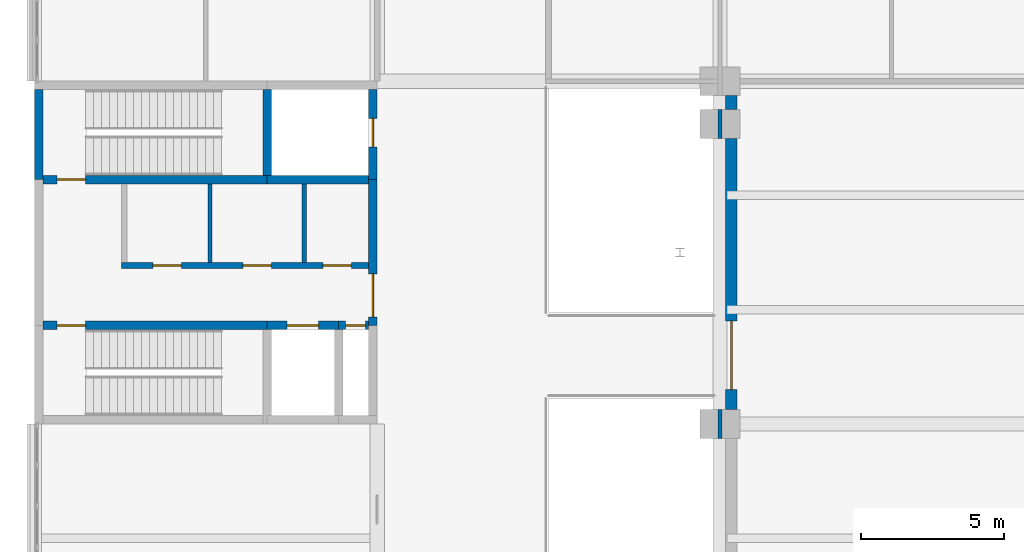
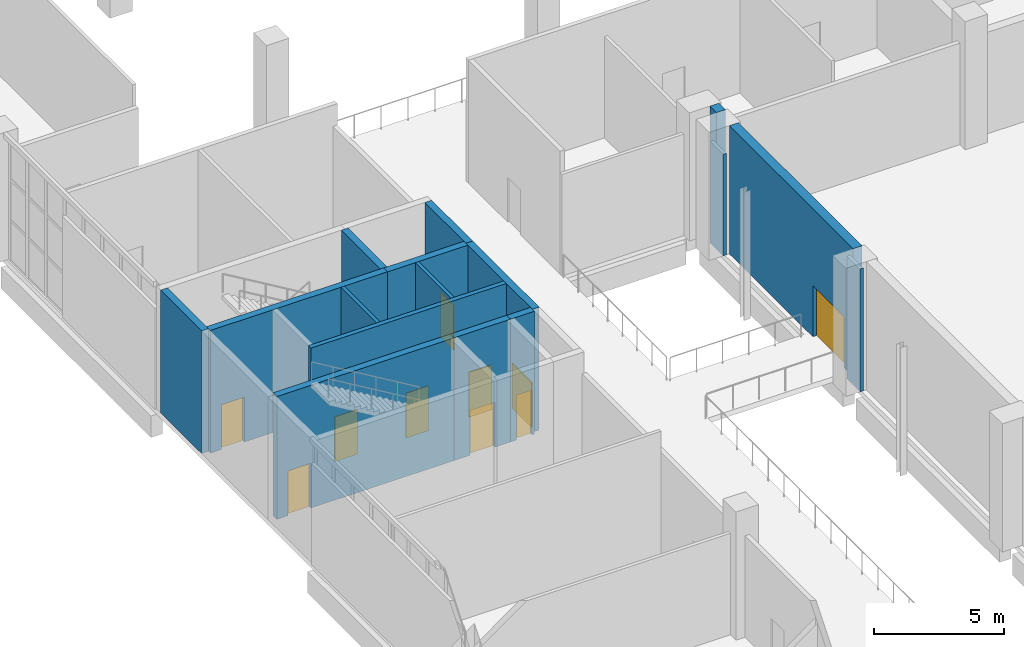
# One storey, part 60 of 72: 16 walls, 10 doors, 10 openings.
"""IFC4 building model written with IfcOpenShell, lengths in metres."""

from ifc_helpers import new_model, si_unit, direction, frame, frame_2d, origin, place, context, subcontext, project, spatial, rectangle, extrude, material, layer, layer_set, type_object, element, fill, save


model = new_model("IFC4")

# Units and contexts
model_context = context("Model", 3, precision=1e-05, world=origin(), true_north=direction((0.0, 1.0)))
body_context = subcontext(model_context, "Body", "Model", "MODEL_VIEW")
ifc_project = project(units=[si_unit("LENGTHUNIT", "METRE"), si_unit("AREAUNIT", "SQUARE_METRE"), si_unit("VOLUMEUNIT", "CUBIC_METRE"), si_unit("PLANEANGLEUNIT", "RADIAN"), si_unit("MASSUNIT", "GRAM", prefix="KILO")], contexts=[model_context])

# Site, building, storey
site_placement = place(None, origin())
site = spatial("IfcSite", under=ifc_project, at=site_placement, CompositionType="ELEMENT")
building_placement = place(site_placement, origin())
building = spatial("IfcBuilding", under=site, at=building_placement, Name="Lilac Gate Convention Centre", CompositionType="ELEMENT")
storey_placement = place(building_placement, frame((0.0, 0.0, 6.0)))
storey = spatial("IfcBuildingStorey", under=building, at=storey_placement, Name="L01", CompositionType="ELEMENT", Elevation=6.0)

# Wall, opening, door
ifc_material_1 = material(Name="Concrete C30", Category="concrete")
ifc_layer_1 = layer(ifc_material_1, 0.39990234375)
ifc_layer_set_1 = layer_set([ifc_layer_1], Name="Concrete C30")
wall_type_1 = type_object("IfcWallType", Name="Hall fire wall 400", PredefinedType="SOLIDWALL", material=ifc_layer_set_1)
wall_1_placement = place(storey_placement, frame((30.39990234375, 210.5, 0.0), z_axis=(0.0, 0.0, 1.0), x_axis=(0.0, 1.0, 0.0)))
wall_1 = element("IfcWall", 1, at=wall_1_placement, inside=storey, type_object=wall_type_1, Name="Fire wall galleria FW L01 16", PredefinedType="SOLIDWALL", context=body_context, shape_type="SweptSolid", body=[
    extrude(rectangle(XDim=9.5, YDim=0.39990234375, at=frame_2d((4.75, 0.0))), origin(), (0.0, 0.0, 1.0), 6.0),
])
opening_1_placement = place(wall_1_placement, frame((0.699951171875, 0.0, 0.0)))
opening_1 = element("IfcOpeningElement", 2, at=opening_1_placement, cuts=wall_1, Name="Opening L01-101", PredefinedType="OPENING", context=body_context, shape_type="SweptSolid", body=[
    extrude(rectangle(XDim=2.39990234375, YDim=2.39990234375, at=frame_2d((1.199951171875, 1.199951171875))), frame((0.0, 0.2099609375, 0.0), z_axis=(0.0, -1.0, 0.0), x_axis=(1.0, 0.0, 0.0)), (0.0, 0.0, 1.0), 0.419921875),
])
ifc_material_2 = material(Name="Steel Q235B", Category="steel")
door_type_1 = type_object("IfcDoorType", Name="Door 2400 x 2400 double leaf FD90", OperationType="DOUBLE_DOOR_SINGLE_SWING", PredefinedType="DOOR", material=ifc_material_2)
door_1_placement = place(opening_1_placement, origin())
door_1 = element("IfcDoor", 3, at=door_1_placement, inside=storey, type_object=door_type_1, Name="Foyer door L01-101", OperationType="DOUBLE_DOOR_SINGLE_SWING", OverallHeight=2.39990234375, OverallWidth=2.39990234375, PredefinedType="DOOR", context=body_context, shape_type="SweptSolid", body=[
    extrude(rectangle(XDim=2.39990234375, YDim=2.39990234375, at=frame_2d((1.199951171875, 1.199951171875))), frame((0.0, 0.02490234375, 0.0), z_axis=(0.0, -1.0, 0.0), x_axis=(1.0, 0.0, 0.0)), (0.0, 0.0, 1.0), 0.050048828125),
])
fill(opening_1, door_1)

# Walls
wall_2_placement = place(storey_placement, frame((30.39990234375, 221.0, 0.0), z_axis=(0.0, 0.0, 1.0), x_axis=(0.0, 1.0, 0.0)))
element("IfcWall", 4, at=wall_2_placement, inside=storey, type_object=wall_type_1, Name="Fire wall galleria FW L01 17", PredefinedType="SOLIDWALL", context=body_context, shape_type="SweptSolid", body=[
    extrude(rectangle(XDim=0.5, YDim=0.39990234375, at=frame_2d((0.25, 0.0))), origin(), (0.0, 0.0, 1.0), 6.0),
])
ifc_material_3 = material(Name="Fire-rated gypsum board on steel stud", Category="steel")
ifc_layer_2 = layer(ifc_material_3, 0.14990234375)
ifc_layer_set_2 = layer_set([ifc_layer_2], Name="Fire-rated gypsum board on steel stud")
wall_type_2 = type_object("IfcWallType", Name="Partition 150 fire-rated gypsum board EI 60", PredefinedType="PARTITIONING", material=ifc_layer_set_2)
for number, where, z_axis, x_axis, name in (
    (5, (12.14990234375, 215.64990234375, 0.0), (0.0, 0.0, 1.0), (0.0, 1.0, 0.0), "Partition 150 fire-rated gypsum board EI 60"),
    (6, (15.449951171875, 215.64990234375, 0.0), (0.0, 0.0, 1.0), (0.0, 1.0, 0.0), "Partition 150 fire-rated gypsum board EI 60"),
):
    element("IfcWall", number, at=place(storey_placement, frame(where, z_axis=z_axis, x_axis=x_axis)), inside=storey, type_object=wall_type_2, Name=name, PredefinedType="PARTITIONING", context=body_context, shape_type="SweptSolid", body=[
        extrude(rectangle(XDim=2.75, YDim=0.14990234375, at=frame_2d((1.375, 0.0))), origin(), (0.0, 0.0, 1.0), 5.75),
    ])
wall_3_placement = place(storey_placement, frame((30.0, 209.5, 0.0), z_axis=(0.0, 0.0, 1.0), x_axis=(0.0, 1.0, 0.0)))
element("IfcWall", 7, at=wall_3_placement, inside=storey, type_object=wall_type_2, Name="Partition 150 fire-rated gypsum board EI 60", PredefinedType="PARTITIONING", context=body_context, shape_type="SweptSolid", body=[
    extrude(rectangle(XDim=1.0, YDim=0.14990234375, at=frame_2d((0.5, 0.0))), origin(), (0.0, 0.0, 1.0), 5.75),
])
wall_4_placement = place(storey_placement, frame((30.0, 220.0, 0.0), z_axis=(0.0, 0.0, 1.0), x_axis=(0.0, 1.0, 0.0)))
element("IfcWall", 8, at=wall_4_placement, inside=storey, type_object=wall_type_2, Name="Partition 150 fire-rated gypsum board EI 60", PredefinedType="PARTITIONING", context=body_context, shape_type="SweptSolid", body=[
    extrude(rectangle(XDim=1.0, YDim=0.14990234375, at=frame_2d((0.5, 0.0))), origin(), (0.0, 0.0, 1.0), 4.75),
])

# Wall, openings, doors
ifc_material_4 = material(Name="Clay brick masonry", Category="masonry")
ifc_layer_3 = layer(ifc_material_4, 0.199951171875)
ifc_layer_set_3 = layer_set([ifc_layer_3], Name="Clay brick masonry")
wall_type_3 = type_object("IfcWallType", Name="Partition 200 brick EI 60", PredefinedType="PARTITIONING", material=ifc_layer_set_3)
wall_5_placement = place(storey_placement, frame((9.050048828125, 215.550048828125, 0.0), z_axis=(0.0, 0.0, 1.0), x_axis=(1.0, 0.0, 0.0)))
wall_5 = element("IfcWall", 9, at=wall_5_placement, inside=storey, type_object=wall_type_3, Name="Partition 200 brick EI 60", PredefinedType="PARTITIONING", context=body_context, shape_type="SweptSolid", body=[
    extrude(rectangle(XDim=8.64990234375, YDim=0.199951171875, at=frame_2d((4.324951171875, 0.0))), origin(), (0.0, 0.0, 1.0), 5.75),
])
opening_2_placement = place(wall_5_placement, frame((1.10009765625, 0.0, 0.0)))
opening_2 = element("IfcOpeningElement", 10, at=opening_2_placement, cuts=wall_5, Name="Opening L01-108", PredefinedType="OPENING", context=body_context, shape_type="SweptSolid", body=[
    extrude(rectangle(XDim=1.0, YDim=2.10009765625, at=frame_2d((0.5, 1.050048828125))), frame((0.0, 0.10986328125, 0.0), z_axis=(0.0, -1.0, 0.0), x_axis=(1.0, 0.0, 0.0)), (0.0, 0.0, 1.0), 0.219970703125),
])
opening_3_placement = place(wall_5_placement, frame((4.25, 0.0, 0.0)))
opening_3 = element("IfcOpeningElement", 11, at=opening_3_placement, cuts=wall_5, Name="Opening L01-109", PredefinedType="OPENING", context=body_context, shape_type="SweptSolid", body=[
    extrude(rectangle(XDim=1.0, YDim=2.10009765625, at=frame_2d((0.5, 1.050048828125))), frame((0.0, 0.10986328125, 0.0), z_axis=(0.0, -1.0, 0.0), x_axis=(1.0, 0.0, 0.0)), (0.0, 0.0, 1.0), 0.219970703125),
])
opening_4_placement = place(wall_5_placement, frame((7.050048828125, 0.0, 0.0)))
opening_4 = element("IfcOpeningElement", 12, at=opening_4_placement, cuts=wall_5, Name="Opening L01-110", PredefinedType="OPENING", context=body_context, shape_type="SweptSolid", body=[
    extrude(rectangle(XDim=1.0, YDim=2.10009765625, at=frame_2d((0.5, 1.050048828125))), frame((0.0, 0.10986328125, 0.0), z_axis=(0.0, -1.0, 0.0), x_axis=(1.0, 0.0, 0.0)), (0.0, 0.0, 1.0), 0.219970703125),
])
ifc_material_5 = material(Name="Timber fire door leaf", Category="wood")
door_type_2 = type_object("IfcDoorType", Name="Door 1000 x 2100 single leaf FD30", OperationType="SINGLE_SWING_LEFT", PredefinedType="DOOR", material=ifc_material_5)
door_2_placement = place(opening_2_placement, origin())
door_2 = element("IfcDoor", 13, at=door_2_placement, inside=storey, type_object=door_type_2, Name="WC door L01-108", OperationType="SINGLE_SWING_RIGHT", OverallHeight=2.10009765625, OverallWidth=1.0, PredefinedType="DOOR", context=body_context, shape_type="SweptSolid", body=[
    extrude(rectangle(XDim=1.0, YDim=2.10009765625, at=frame_2d((0.5, 1.050048828125))), frame((0.0, 0.02490234375, 0.0), z_axis=(0.0, -1.0, 0.0), x_axis=(1.0, 0.0, 0.0)), (0.0, 0.0, 1.0), 0.050048828125),
])
fill(opening_2, door_2)
door_3_placement = place(opening_3_placement, origin())
door_3 = element("IfcDoor", 14, at=door_3_placement, inside=storey, type_object=door_type_2, Name="WC door L01-109", OperationType="SINGLE_SWING_LEFT", OverallHeight=2.10009765625, OverallWidth=1.0, PredefinedType="DOOR", context=body_context, shape_type="SweptSolid", body=[
    extrude(rectangle(XDim=1.0, YDim=2.10009765625, at=frame_2d((0.5, 1.050048828125))), frame((0.0, 0.02490234375, 0.0), z_axis=(0.0, -1.0, 0.0), x_axis=(1.0, 0.0, 0.0)), (0.0, 0.0, 1.0), 0.050048828125),
])
fill(opening_3, door_3)
door_4_placement = place(opening_4_placement, origin())
door_4 = element("IfcDoor", 15, at=door_4_placement, inside=storey, type_object=door_type_2, Name="Accessible WC door L01-110", OperationType="SINGLE_SWING_LEFT", OverallHeight=2.10009765625, OverallWidth=1.0, PredefinedType="DOOR", context=body_context, shape_type="SweptSolid", body=[
    extrude(rectangle(XDim=1.0, YDim=2.10009765625, at=frame_2d((0.5, 1.050048828125))), frame((0.0, 0.02490234375, 0.0), z_axis=(0.0, -1.0, 0.0), x_axis=(1.0, 0.0, 0.0)), (0.0, 0.0, 1.0), 0.050048828125),
])
fill(opening_4, door_4)

# Wall, opening, door
ifc_material_6 = material(Name="Concrete C40", Category="concrete")
ifc_layer_4 = layer(ifc_material_6, 0.300048828125)
ifc_layer_set_4 = layer_set([ifc_layer_4], Name="Concrete C40")
wall_type_4 = type_object("IfcWallType", Name="Shear wall 300 C40", PredefinedType="SHEAR", material=ifc_layer_set_4)
wall_6_placement = place(storey_placement, frame((6.300048828125, 213.449951171875, 0.0), z_axis=(0.0, 0.0, 1.0), x_axis=(1.0, 0.0, 0.0)))
wall_6 = element("IfcWall", 16, at=wall_6_placement, inside=storey, type_object=wall_type_4, Name="SW1 shear wall W4 L01 6", PredefinedType="SHEAR", context=body_context, shape_type="SweptSolid", body=[
    extrude(rectangle(XDim=7.849853515625, YDim=0.300048828125, at=frame_2d((3.9248046875, 0.0))), origin(), (0.0, 0.0, 1.0), 5.75),
])
opening_5_placement = place(wall_6_placement, frame((0.5, 0.0, 0.0)))
opening_5 = element("IfcOpeningElement", 17, at=opening_5_placement, cuts=wall_6, Name="Opening L01-102", PredefinedType="OPENING", context=body_context, shape_type="SweptSolid", body=[
    extrude(rectangle(XDim=1.0, YDim=2.10009765625, at=frame_2d((0.5, 1.050048828125))), frame((0.0, 0.159912109375, 0.0), z_axis=(0.0, -1.0, 0.0), x_axis=(1.0, 0.0, 0.0)), (0.0, 0.0, 1.0), 0.320068359375),
])
door_type_3 = type_object("IfcDoorType", Name="Door 1000 x 2100 single leaf FD60", OperationType="SINGLE_SWING_LEFT", PredefinedType="DOOR", material=ifc_material_5)
door_5_placement = place(opening_5_placement, frame((1.0, 0.0, 0.0), z_axis=(0.0, 0.0, 1.0), x_axis=(-1.0, 0.0, 0.0)))
door_5 = element("IfcDoor", 18, at=door_5_placement, inside=storey, type_object=door_type_3, Name="Stair door L01-102", OperationType="SINGLE_SWING_LEFT", OverallHeight=2.10009765625, OverallWidth=1.0, PredefinedType="DOOR", context=body_context, shape_type="SweptSolid", body=[
    extrude(rectangle(XDim=1.0, YDim=2.10009765625, at=frame_2d((0.5, 1.050048828125))), frame((0.0, 0.02490234375, 0.0), z_axis=(0.0, -1.0, 0.0), x_axis=(1.0, 0.0, 0.0)), (0.0, 0.0, 1.0), 0.050048828125),
])
fill(opening_5, door_5)

wall_7_placement = place(storey_placement, frame((14.14990234375, 213.449951171875, 0.0), z_axis=(0.0, 0.0, 1.0), x_axis=(1.0, 0.0, 0.0)))
wall_7 = element("IfcWall", 19, at=wall_7_placement, inside=storey, type_object=wall_type_4, Name="SW1 shear wall W4 L01 7", PredefinedType="SHEAR", context=body_context, shape_type="SweptSolid", body=[
    extrude(rectangle(XDim=2.5, YDim=0.300048828125, at=frame_2d((1.25, 0.0))), origin(), (0.0, 0.0, 1.0), 5.75),
])
opening_6_placement = place(wall_7_placement, frame((0.699951171875, 0.0, 0.0)))
opening_6 = element("IfcOpeningElement", 20, at=opening_6_placement, cuts=wall_7, Name="Opening LDW4-01", PredefinedType="OPENING", context=body_context, shape_type="SweptSolid", body=[
    extrude(rectangle(XDim=1.10009765625, YDim=2.10009765625, at=frame_2d((0.550048828125, 1.050048828125))), frame((0.0, 0.159912109375, 0.0), z_axis=(0.0, -1.0, 0.0), x_axis=(1.0, 0.0, 0.0)), (0.0, 0.0, 1.0), 0.320068359375),
])
ifc_material_7 = material(Name="Stainless steel 304", Category="steel")
door_type_4 = type_object("IfcDoorType", Name="Lift landing door 1100 x 2100", OperationType="SLIDING_TO_LEFT", PredefinedType="DOOR", material=ifc_material_7)
door_6_placement = place(opening_6_placement, origin())
door_6 = element("IfcDoor", 21, at=door_6_placement, inside=storey, type_object=door_type_4, Name="Lift landing door LDW4-01", OperationType="SLIDING_TO_LEFT", OverallHeight=2.10009765625, OverallWidth=1.10009765625, PredefinedType="DOOR", context=body_context, shape_type="SweptSolid", body=[
    extrude(rectangle(XDim=1.10009765625, YDim=2.10009765625, at=frame_2d((0.550048828125, 1.050048828125))), frame((0.0, 0.02490234375, 0.0), z_axis=(0.0, -1.0, 0.0), x_axis=(1.0, 0.0, 0.0)), (0.0, 0.0, 1.0), 0.050048828125),
])
fill(opening_6, door_6)

wall_8_placement = place(storey_placement, frame((16.64990234375, 213.449951171875, 0.0), z_axis=(0.0, 0.0, 1.0), x_axis=(1.0, 0.0, 0.0)))
wall_8 = element("IfcWall", 22, at=wall_8_placement, inside=storey, type_object=wall_type_4, Name="SW1 shear wall W4 L01 8", PredefinedType="SHEAR", context=body_context, shape_type="SweptSolid", body=[
    extrude(rectangle(XDim=1.050048828125, YDim=0.300048828125, at=frame_2d((0.52490234375, 0.0))), origin(), (0.0, 0.0, 1.0), 5.75),
])
opening_7_placement = place(wall_8_placement, frame((0.25, 0.0, 0.0)))
opening_7 = element("IfcOpeningElement", 23, at=opening_7_placement, cuts=wall_8, Name="Opening L01-103", PredefinedType="OPENING", context=body_context, shape_type="SweptSolid", body=[
    extrude(rectangle(XDim=0.699951171875, YDim=2.10009765625, at=frame_2d((0.35009765625, 1.050048828125))), frame((0.0, 0.159912109375, 0.0), z_axis=(0.0, -1.0, 0.0), x_axis=(1.0, 0.0, 0.0)), (0.0, 0.0, 1.0), 0.320068359375),
])
door_type_5 = type_object("IfcDoorType", Name="Door 700 x 2100 single leaf FD30", OperationType="SINGLE_SWING_LEFT", PredefinedType="DOOR", material=ifc_material_5)
door_7_placement = place(opening_7_placement, frame((0.699951171875, 0.0, 0.0), z_axis=(0.0, 0.0, 1.0), x_axis=(-1.0, 0.0, 0.0)))
door_7 = element("IfcDoor", 24, at=door_7_placement, inside=storey, type_object=door_type_5, Name="Riser access door L01-103", OperationType="SINGLE_SWING_LEFT", OverallHeight=2.10009765625, OverallWidth=0.699951171875, PredefinedType="DOOR", context=body_context, shape_type="SweptSolid", body=[
    extrude(rectangle(XDim=0.699951171875, YDim=2.10009765625, at=frame_2d((0.35009765625, 1.050048828125))), frame((0.0, 0.02490234375, 0.0), z_axis=(0.0, -1.0, 0.0), x_axis=(1.0, 0.0, 0.0)), (0.0, 0.0, 1.0), 0.050048828125),
])
fill(opening_7, door_7)

wall_9_placement = place(storey_placement, frame((6.300048828125, 218.550048828125, 0.0), z_axis=(0.0, 0.0, 1.0), x_axis=(1.0, 0.0, 0.0)))
wall_9 = element("IfcWall", 25, at=wall_9_placement, inside=storey, type_object=wall_type_4, Name="SW1 shear wall W4 L01 9", PredefinedType="SHEAR", context=body_context, shape_type="SweptSolid", body=[
    extrude(rectangle(XDim=7.849853515625, YDim=0.300048828125, at=frame_2d((3.9248046875, 0.0))), origin(), (0.0, 0.0, 1.0), 5.75),
])
opening_8_placement = place(wall_9_placement, frame((0.5, 0.0, 0.0)))
opening_8 = element("IfcOpeningElement", 26, at=opening_8_placement, cuts=wall_9, Name="Opening L01-114", PredefinedType="OPENING", context=body_context, shape_type="SweptSolid", body=[
    extrude(rectangle(XDim=1.0, YDim=2.10009765625, at=frame_2d((0.5, 1.050048828125))), frame((0.0, 0.159912109375, 0.0), z_axis=(0.0, -1.0, 0.0), x_axis=(1.0, 0.0, 0.0)), (0.0, 0.0, 1.0), 0.320068359375),
])
door_8_placement = place(opening_8_placement, origin())
door_8 = element("IfcDoor", 27, at=door_8_placement, inside=storey, type_object=door_type_3, Name="Stair door L01-114", OperationType="SINGLE_SWING_RIGHT", OverallHeight=2.10009765625, OverallWidth=1.0, PredefinedType="DOOR", context=body_context, shape_type="SweptSolid", body=[
    extrude(rectangle(XDim=1.0, YDim=2.10009765625, at=frame_2d((0.5, 1.050048828125))), frame((0.0, 0.02490234375, 0.0), z_axis=(0.0, -1.0, 0.0), x_axis=(1.0, 0.0, 0.0)), (0.0, 0.0, 1.0), 0.050048828125),
])
fill(opening_8, door_8)

# Walls
wall_10_placement = place(storey_placement, frame((14.14990234375, 218.550048828125, 0.0), z_axis=(0.0, 0.0, 1.0), x_axis=(1.0, 0.0, 0.0)))
element("IfcWall", 28, at=wall_10_placement, inside=storey, type_object=wall_type_4, Name="SW1 shear wall W4 L01 10", PredefinedType="SHEAR", context=body_context, shape_type="SweptSolid", body=[
    extrude(rectangle(XDim=3.550048828125, YDim=0.300048828125, at=frame_2d((1.77490234375, 0.0))), origin(), (0.0, 0.0, 1.0), 5.75),
])
wall_11_placement = place(storey_placement, frame((6.14990234375, 218.550048828125, 0.0), z_axis=(0.0, 0.0, 1.0), x_axis=(0.0, 1.0, 0.0)))
element("IfcWall", 29, at=wall_11_placement, inside=storey, type_object=wall_type_4, Name="SW1 shear wall W4 L01 13", PredefinedType="SHEAR", context=body_context, shape_type="SweptSolid", body=[
    extrude(rectangle(XDim=3.14990234375, YDim=0.300048828125, at=frame_2d((1.574951171875, 0.0))), origin(), (0.0, 0.0, 1.0), 5.75),
])

# Wall, opening, door
wall_12_placement = place(storey_placement, frame((17.85009765625, 213.449951171875, 0.0), z_axis=(0.0, 0.0, 1.0), x_axis=(0.0, 1.0, 0.0)))
wall_12 = element("IfcWall", 30, at=wall_12_placement, inside=storey, type_object=wall_type_4, Name="SW1 shear wall W4 L01 15", PredefinedType="SHEAR", context=body_context, shape_type="SweptSolid", body=[
    extrude(rectangle(XDim=5.10009765625, YDim=0.300048828125, at=frame_2d((2.550048828125, 0.0))), origin(), (0.0, 0.0, 1.0), 5.75),
])
opening_9_placement = place(wall_12_placement, frame((0.300048828125, 0.0, 0.0)))
opening_9 = element("IfcOpeningElement", 31, at=opening_9_placement, cuts=wall_12, Name="Opening L01-106", PredefinedType="OPENING", context=body_context, shape_type="SweptSolid", body=[
    extrude(rectangle(XDim=1.5, YDim=2.10009765625, at=frame_2d((0.75, 1.050048828125))), frame((0.0, 0.159912109375, 0.0), z_axis=(0.0, -1.0, 0.0), x_axis=(1.0, 0.0, 0.0)), (0.0, 0.0, 1.0), 0.320068359375),
])
door_type_6 = type_object("IfcDoorType", Name="Door 1500 x 2100 double leaf FD30", OperationType="DOUBLE_DOOR_SINGLE_SWING", PredefinedType="DOOR", material=ifc_material_5)
door_9_placement = place(opening_9_placement, origin())
door_9 = element("IfcDoor", 32, at=door_9_placement, inside=storey, type_object=door_type_6, Name="Lobby door L01-106", OperationType="DOUBLE_DOOR_SINGLE_SWING", OverallHeight=2.10009765625, OverallWidth=1.5, PredefinedType="DOOR", context=body_context, shape_type="SweptSolid", body=[
    extrude(rectangle(XDim=1.5, YDim=2.10009765625, at=frame_2d((0.75, 1.050048828125))), frame((0.0, 0.02490234375, 0.0), z_axis=(0.0, -1.0, 0.0), x_axis=(1.0, 0.0, 0.0)), (0.0, 0.0, 1.0), 0.050048828125),
])
fill(opening_9, door_9)

wall_13_placement = place(storey_placement, frame((17.85009765625, 218.550048828125, 0.0), z_axis=(0.0, 0.0, 1.0), x_axis=(0.0, 1.0, 0.0)))
wall_13 = element("IfcWall", 33, at=wall_13_placement, inside=storey, type_object=wall_type_4, Name="SW1 shear wall W4 L01 16", PredefinedType="SHEAR", context=body_context, shape_type="SweptSolid", body=[
    extrude(rectangle(XDim=3.14990234375, YDim=0.300048828125, at=frame_2d((1.574951171875, 0.0))), origin(), (0.0, 0.0, 1.0), 5.75),
])
opening_10_placement = place(wall_13_placement, frame((1.14990234375, 0.0, 0.0)))
opening_10 = element("IfcOpeningElement", 34, at=opening_10_placement, cuts=wall_13, Name="Opening L01-116", PredefinedType="OPENING", context=body_context, shape_type="SweptSolid", body=[
    extrude(rectangle(XDim=1.0, YDim=2.10009765625, at=frame_2d((0.5, 1.050048828125))), frame((0.0, 0.159912109375, 0.0), z_axis=(0.0, -1.0, 0.0), x_axis=(1.0, 0.0, 0.0)), (0.0, 0.0, 1.0), 0.320068359375),
])
door_10_placement = place(opening_10_placement, origin())
door_10 = element("IfcDoor", 35, at=door_10_placement, inside=storey, type_object=door_type_2, Name="Riser access door L01-116", OperationType="SINGLE_SWING_RIGHT", OverallHeight=2.10009765625, OverallWidth=1.0, PredefinedType="DOOR", context=body_context, shape_type="SweptSolid", body=[
    extrude(rectangle(XDim=1.0, YDim=2.10009765625, at=frame_2d((0.5, 1.050048828125))), frame((0.0, 0.02490234375, 0.0), z_axis=(0.0, -1.0, 0.0), x_axis=(1.0, 0.0, 0.0)), (0.0, 0.0, 1.0), 0.050048828125),
])
fill(opening_10, door_10)

# Wall
wall_14_placement = place(storey_placement, frame((14.14990234375, 218.699951171875, 0.0), z_axis=(0.0, 0.0, 1.0), x_axis=(0.0, 1.0, 0.0)))
element("IfcWall", 36, at=wall_14_placement, inside=storey, type_object=wall_type_4, Name="SW1 shear wall W4 L01 18", PredefinedType="SHEAR", context=body_context, shape_type="SweptSolid", body=[
    extrude(rectangle(XDim=3.0, YDim=0.300048828125, at=frame_2d((1.5, 0.0))), origin(), (0.0, 0.0, 1.0), 5.75),
])

save(model, "model.ifc")
